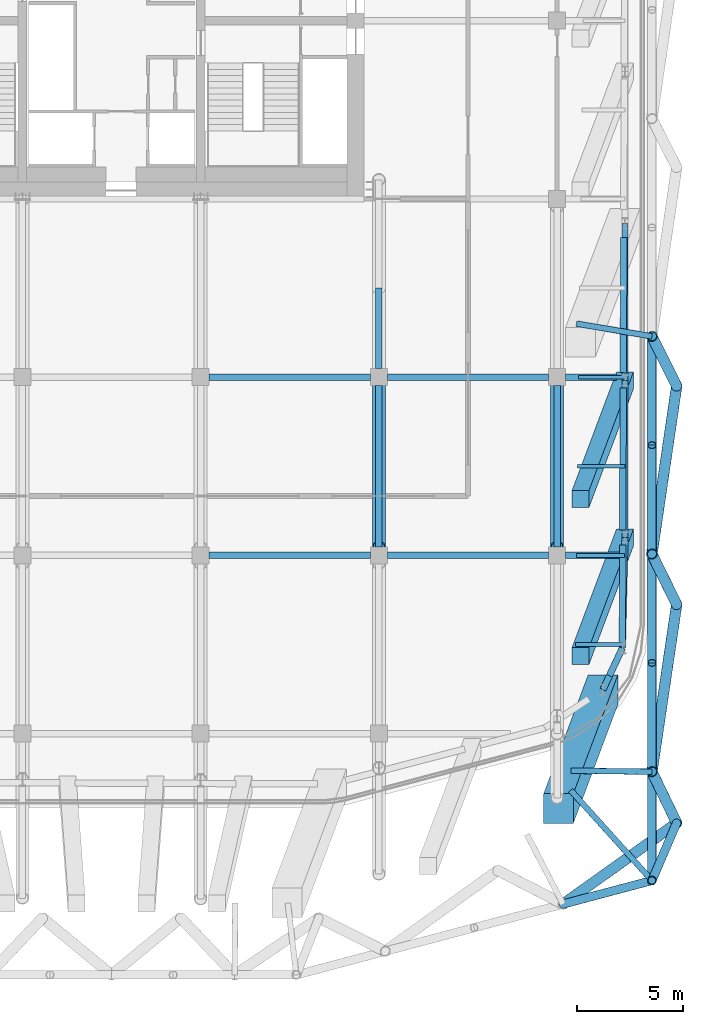
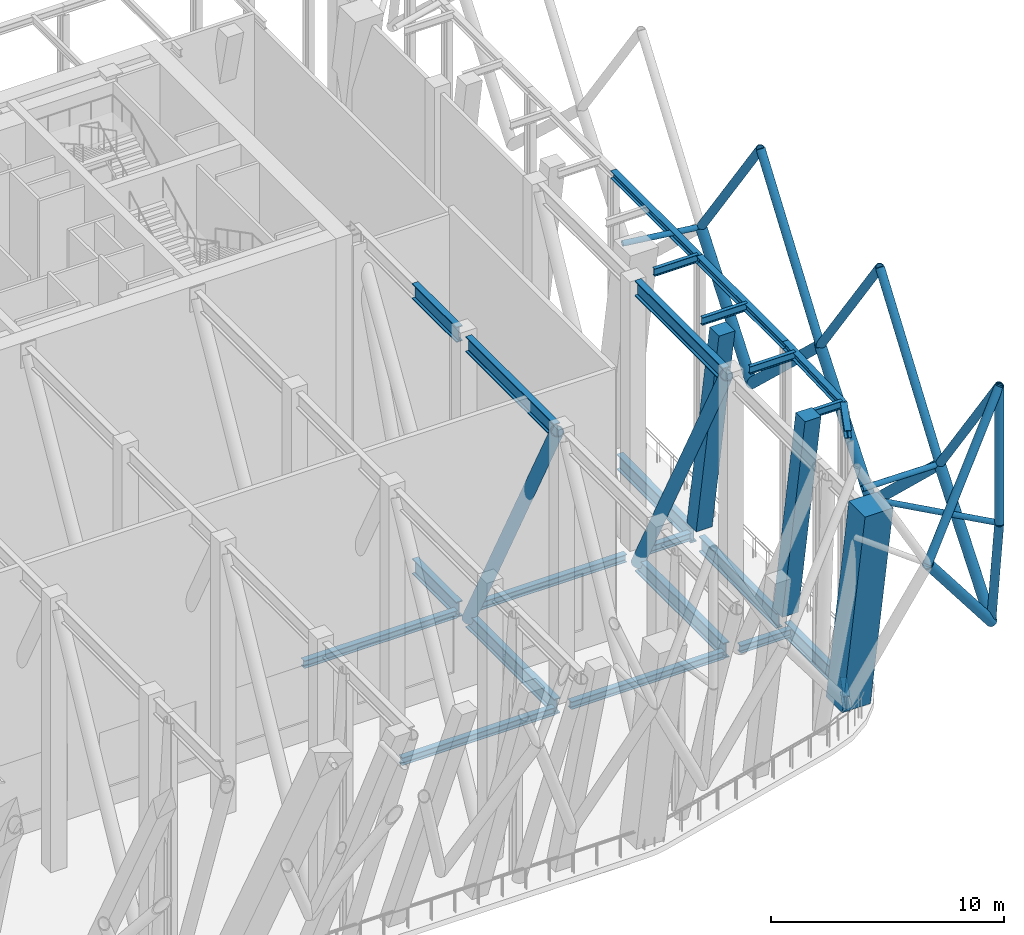
# One storey, part 5 of 20: 26 beams, 20 members.
"""IFC4 building model written with IfcOpenShell, lengths in metres."""

from ifc_helpers import new_model, si_unit, direction, frame, origin, origin_2d, place, context, subcontext, project, spatial, rectangle, hollow_circle, i_section, extrude, material, material_profile, profile_set, type_object, element, save


model = new_model("IFC4")

# Units and contexts
model_context = context("Model", 3, precision=1e-05, world=origin(), true_north=direction((0.0, 1.0)))
body_context = subcontext(model_context, "Body", "Model", "MODEL_VIEW")
ifc_project = project(units=[si_unit("LENGTHUNIT", "METRE"), si_unit("AREAUNIT", "SQUARE_METRE"), si_unit("VOLUMEUNIT", "CUBIC_METRE"), si_unit("PLANEANGLEUNIT", "RADIAN"), si_unit("MASSUNIT", "GRAM", prefix="KILO")], contexts=[model_context])

# Site, building, storey
site_placement = place(None, origin())
site = spatial("IfcSite", under=ifc_project, at=site_placement, CompositionType="ELEMENT")
building_placement = place(site_placement, origin())
building = spatial("IfcBuilding", under=site, at=building_placement, Name="Marenta Gate Hotel Tower", CompositionType="ELEMENT")
storey_placement = place(building_placement, frame((0.0, 0.0, 252.5)))
storey = spatial("IfcBuildingStorey", under=building, at=storey_placement, Name="L60", CompositionType="ELEMENT", Elevation=252.5)

# Members
ifc_material_1 = material(Name="Steel S355J2W", Category="steel")
ifc_material_profile_1 = material_profile(ifc_material_1, hollow_circle(Radius=0.203125, WallThickness=0.02490234375, at=origin_2d()), Name="CHS 406.4x25")
ifc_profile_set_1 = profile_set([ifc_material_profile_1], Name="Steel S355J2W")
member_type_1 = type_object("IfcMemberType", Name="Diagrid corner post Z3 CHS 406.4x25", PredefinedType="POST", material=ifc_profile_set_1)
member_1_placement = place(storey_placement, frame((26.635009765625, -29.41162109375, 6.739990234375), z_axis=(-0.149721527794, -0.348482189691, 0.925280296766), x_axis=(0.91878952383, -0.394747781374, 0.0)))
element("IfcMember", 1, at=member_1_placement, inside=storey, type_object=member_type_1, Name="L60-DR-2", PredefinedType="POST", context=body_context, shape_type="SweptSolid", body=[
    extrude(hollow_circle(Radius=0.203125, WallThickness=0.02490234375, at=origin_2d()), origin(), (0.0, 0.0, 1.0), 7.781494140625),
])
ifc_material_2 = material(Name="Steel S355J2W", Category="steel")
ifc_material_profile_2 = material_profile(ifc_material_2, hollow_circle(Radius=0.203125, WallThickness=0.01611328125, at=origin_2d()), Name="CHS 406.4x16")
ifc_profile_set_2 = profile_set([ifc_material_profile_2], Name="Steel S355J2W")
member_type_2 = type_object("IfcMemberType", Name="Diagrid corner post Z4 CHS 406.4x16", PredefinedType="POST", material=ifc_profile_set_2)
member_2_placement = place(storey_placement, frame((25.469970703125, -32.123291015625, 13.93994140625), z_axis=(0.0, 0.0, 1.0), x_axis=(1.0, 0.0, 0.0)))
element("IfcMember", 2, at=member_2_placement, inside=storey, type_object=member_type_2, Name="L60-DR-8", PredefinedType="POST", context=body_context, shape_type="SweptSolid", body=[
    extrude(hollow_circle(Radius=0.203125, WallThickness=0.01611328125, at=origin_2d()), origin(), (0.0, 0.0, 1.0), 7.199951171875),
])
ifc_material_3 = material(Name="Steel S355J2W", Category="steel")
ifc_material_profile_3 = material_profile(ifc_material_3, hollow_circle(Radius=0.25390625, WallThickness=0.0400390625, at=origin_2d()), Name="CHS 508x40")
ifc_profile_set_3 = profile_set([ifc_material_profile_3], Name="Steel S355J2W")
member_type_3 = type_object("IfcMemberType", Name="Diagrid diagonal T3 CHS 508x40", PredefinedType="BRACE", material=ifc_profile_set_3)
member_3_placement = place(storey_placement, frame((26.635009765625, -8.81298828125, 6.739990234375), z_axis=(-0.152119932005, 0.305068681746, 0.940102454898), x_axis=(-0.894912926352, -0.446240802984, 0.0)))
element("IfcMember", 3, at=member_3_placement, inside=storey, type_object=member_type_3, Name="L60-DG-6", PredefinedType="BRACE", context=body_context, shape_type="SweptSolid", body=[
    extrude(hollow_circle(Radius=0.25390625, WallThickness=0.0400390625, at=origin_2d()), origin(), (0.0, 0.0, 1.0), 7.65869140625),
])
member_4_placement = place(storey_placement, frame((26.635009765625, -8.81298828125, 6.739990234375), z_axis=(-0.108189605121, -0.735698383522, 0.668612666516), x_axis=(0.989359393524, -0.145492235004, 0.0)))
element("IfcMember", 4, at=member_4_placement, inside=storey, type_object=member_type_3, Name="L60-DG-7", PredefinedType="BRACE", context=body_context, shape_type="SweptSolid", body=[
    extrude(hollow_circle(Radius=0.25390625, WallThickness=0.0400390625, at=origin_2d()), origin(), (0.0, 0.0, 1.0), 10.7685546875),
])
member_5_placement = place(storey_placement, frame((26.635009765625, -19.1123046875, 6.739990234375), z_axis=(-0.1518728343, 0.309856226896, 0.93857538901), x_axis=(-0.897940734273, -0.440116391121, 0.0)))
element("IfcMember", 5, at=member_5_placement, inside=storey, type_object=member_type_3, Name="L60-DG-8", PredefinedType="BRACE", context=body_context, shape_type="SweptSolid", body=[
    extrude(hollow_circle(Radius=0.25390625, WallThickness=0.0400390625, at=origin_2d()), origin(), (0.0, 0.0, 1.0), 7.671142578125),
])
member_6_placement = place(storey_placement, frame((26.635009765625, -19.1123046875, 6.739990234375), z_axis=(-0.108491449079, -0.733954201721, 0.670478064707), x_axis=(0.98925079432, -0.146228813632, 0.0)))
element("IfcMember", 6, at=member_6_placement, inside=storey, type_object=member_type_3, Name="L60-DG-9", PredefinedType="BRACE", context=body_context, shape_type="SweptSolid", body=[
    extrude(hollow_circle(Radius=0.25390625, WallThickness=0.0400390625, at=origin_2d()), origin(), (0.0, 0.0, 1.0), 10.738525390625),
])
member_7_placement = place(storey_placement, frame((26.635009765625, -29.41162109375, 6.739990234375), z_axis=(-0.151621202874, 0.314648946366, 0.937020304684), x_axis=(-0.900863347465, -0.434102786439, 0.0)))
element("IfcMember", 7, at=member_7_placement, inside=storey, type_object=member_type_3, Name="L60-DG-10", PredefinedType="BRACE", context=body_context, shape_type="SweptSolid", body=[
    extrude(hollow_circle(Radius=0.25390625, WallThickness=0.0400390625, at=origin_2d()), origin(), (0.0, 0.0, 1.0), 7.683837890625),
])
member_8_placement = place(storey_placement, frame((26.635009765625, -29.41162109375, 6.739990234375), z_axis=(-0.549044744476, -0.391978149008, 0.738175452899), x_axis=(0.581045137447, -0.813871333965, 0.0)))
element("IfcMember", 8, at=member_8_placement, inside=storey, type_object=member_type_3, Name="L60-DG-11", PredefinedType="BRACE", context=body_context, shape_type="SweptSolid", body=[
    extrude(hollow_circle(Radius=0.25390625, WallThickness=0.0400390625, at=origin_2d()), origin(), (0.0, 0.0, 1.0), 9.753662109375),
])
ifc_material_4 = material(Name="Steel S355J2W", Category="steel")
ifc_material_profile_4 = material_profile(ifc_material_4, hollow_circle(Radius=0.203125, WallThickness=0.02490234375, at=origin_2d()), Name="CHS 406.4x25")
ifc_profile_set_4 = profile_set([ifc_material_profile_4], Name="Steel S355J2W")
member_type_4 = type_object("IfcMemberType", Name="Diagrid diagonal Z4 CHS 406.4x25", PredefinedType="BRACE", material=ifc_profile_set_4)
for number, where, z_axis, x_axis, name in (
    (9, (25.469970703125, -6.4765625, 13.93994140625), (0.0, -0.580231970533, 0.81445126335), (1.0, 0.0, 0.0), "L60-DG-40"),
    (10, (25.469970703125, -16.7353515625, 13.93994140625), (0.0, 0.580231970533, 0.81445126335), (-1.0, 0.0, 0.0), "L60-DG-41"),
):
    element("IfcMember", number, at=place(storey_placement, frame(where, z_axis=z_axis, x_axis=x_axis)), inside=storey, type_object=member_type_4, Name=name, PredefinedType="BRACE", context=body_context, shape_type="SweptSolid", body=[
        extrude(hollow_circle(Radius=0.203125, WallThickness=0.02490234375, at=origin_2d()), origin(), (0.0, 0.0, 1.0), 8.84033203125),
    ])
member_9_placement = place(storey_placement, frame((25.469970703125, -16.7353515625, 13.93994140625), z_axis=(0.0, -0.580213650922, 0.81446431431), x_axis=(1.0, 0.0, 0.0)))
element("IfcMember", 11, at=member_9_placement, inside=storey, type_object=member_type_4, Name="L60-DG-42", PredefinedType="BRACE", context=body_context, shape_type="SweptSolid", body=[
    extrude(hollow_circle(Radius=0.203125, WallThickness=0.02490234375, at=origin_2d()), origin(), (0.0, 0.0, 1.0), 8.840087890625),
])
for number, where, z_axis, x_axis, name in (
    (12, (25.469970703125, -26.993896484375, 13.93994140625), (0.0, 0.580231970533, 0.81445126335), (-1.0, 0.0, 0.0), "L60-DG-43"),
    (13, (25.469970703125, -26.993896484375, 13.93994140625), (0.0, -0.580231970533, 0.81445126335), (1.0, 0.0, 0.0), "L60-DG-44"),
):
    element("IfcMember", number, at=place(storey_placement, frame(where, z_axis=z_axis, x_axis=x_axis)), inside=storey, type_object=member_type_4, Name=name, PredefinedType="BRACE", context=body_context, shape_type="SweptSolid", body=[
        extrude(hollow_circle(Radius=0.203125, WallThickness=0.02490234375, at=origin_2d()), origin(), (0.0, 0.0, 1.0), 8.84033203125),
    ])
member_10_placement = place(storey_placement, frame((21.27978515625, -33.23486328125, 13.93994140625), z_axis=(0.498575378967, 0.132262057941, 0.856696760538), x_axis=(-0.256411076507, 0.966567824751, 0.0)))
element("IfcMember", 14, at=member_10_placement, inside=storey, type_object=member_type_4, Name="L60-DG-45", PredefinedType="BRACE", context=body_context, shape_type="SweptSolid", body=[
    extrude(hollow_circle(Radius=0.203125, WallThickness=0.02490234375, at=origin_2d()), origin(), (0.0, 0.0, 1.0), 8.404296875),
])

# Beams
ifc_material_5 = material(Name="Steel S355", Category="steel")
ifc_material_profile_5 = material_profile(ifc_material_5, i_section(OverallWidth=0.302978515625, OverallDepth=0.81396484375, WebThickness=0.030029296875, FlangeThickness=0.052001953125, FilletRadius=0.030029296875, at=origin_2d()), Name="HEM 800")
ifc_profile_set_5 = profile_set([ifc_material_profile_5], Name="Steel S355")
beam_type_1 = type_object("IfcBeamType", Name="Edge beam HEM 800", PredefinedType="SPANDREL", material=ifc_profile_set_5)
beam_1_placement = place(storey_placement, frame((24.1396484375, -1.81005859375, -0.70703125), z_axis=(-0.003328723523, -0.999994459785, 0.0), x_axis=(0.999994459785, -0.003328723523, 0.0)))
element("IfcBeam", 15, at=beam_1_placement, inside=storey, type_object=beam_type_1, Name="L60-EB-25", PredefinedType="SPANDREL", context=body_context, shape_type="SweptSolid", body=[
    extrude(i_section(OverallWidth=0.302978515625, OverallDepth=0.81396484375, WebThickness=0.030029296875, FlangeThickness=0.052001953125, FilletRadius=0.030029296875, at=origin_2d()), origin(), (0.0, 0.0, 1.0), 6.380859375),
])
beam_2_placement = place(storey_placement, frame((24.115966796875, -8.910888671875, -0.70703125), z_axis=(-0.00332539729, -0.999994470851, 0.0), x_axis=(0.999994470851, -0.00332539729, 0.0)))
element("IfcBeam", 16, at=beam_2_placement, inside=storey, type_object=beam_type_1, Name="L60-EB-26", PredefinedType="SPANDREL", context=body_context, shape_type="SweptSolid", body=[
    extrude(i_section(OverallWidth=0.302978515625, OverallDepth=0.81396484375, WebThickness=0.030029296875, FlangeThickness=0.052001953125, FilletRadius=0.030029296875, at=origin_2d()), origin(), (0.0, 0.0, 1.0), 6.680908203125),
])
beam_3_placement = place(storey_placement, frame((24.09130859375, -16.31201171875, -0.70703125), z_axis=(-0.003318732666, -0.999994492992, 0.0), x_axis=(0.999994492992, -0.003318732666, 0.0)))
element("IfcBeam", 17, at=beam_3_placement, inside=storey, type_object=beam_type_1, Name="L60-EB-27", PredefinedType="SPANDREL", context=body_context, shape_type="SweptSolid", body=[
    extrude(i_section(OverallWidth=0.302978515625, OverallDepth=0.81396484375, WebThickness=0.030029296875, FlangeThickness=0.052001953125, FilletRadius=0.030029296875, at=origin_2d()), origin(), (0.0, 0.0, 1.0), 4.855224609375),
])
beam_4_placement = place(storey_placement, frame((24.0751953125, -21.167236328125, -0.70703125), z_axis=(-0.423341112024, -0.905970365338, 0.0), x_axis=(0.905970365338, -0.423341112024, 0.0)))
element("IfcBeam", 18, at=beam_4_placement, inside=storey, type_object=beam_type_1, Name="L60-EB-28", PredefinedType="SPANDREL", context=body_context, shape_type="SweptSolid", body=[
    extrude(i_section(OverallWidth=0.302978515625, OverallDepth=0.81396484375, WebThickness=0.030029296875, FlangeThickness=0.052001953125, FilletRadius=0.030029296875, at=origin_2d()), origin(), (0.0, 0.0, 1.0), 1.437255859375),
])

# Members
ifc_material_6 = material(Name="Concrete C60", Category="concrete")
ifc_material_profile_6 = material_profile(ifc_material_6, rectangle(XDim=0.800048828125, YDim=0.800048828125, at=origin_2d()), Name="800 x 800")
ifc_profile_set_6 = profile_set([ifc_material_profile_6], Name="Concrete C60")
member_type_5 = type_object("IfcMemberType", Name="Edge column raked 800 x 800 C60", PredefinedType="STRUT", material=ifc_profile_set_6)
for number, where, z_axis, x_axis, name in (
    (19, (24.199951171875, -8.55078125, 0.0), (0.0, 0.0, 1.0), (1.0, 0.0, 0.0), "L60-EC-E-SE-1"),
    (20, (24.199951171875, -15.951904296875, 0.0), (0.0, 0.0, 1.0), (1.0, 0.0, 0.0), "L60-EC-E-SE-2"),
):
    element("IfcMember", number, at=place(storey_placement, frame(where, z_axis=z_axis, x_axis=x_axis)), inside=storey, type_object=member_type_5, Name=name, PredefinedType="STRUT", context=body_context, shape_type="SweptSolid", body=[
        extrude(rectangle(XDim=0.800048828125, YDim=0.800048828125, at=origin_2d()), origin(), (-0.134670294295, -0.359152099819, 0.923511603084), 15.592529296875),
    ])
ifc_material_7 = material(Name="Steel S355J2W", Category="steel")
ifc_material_profile_7 = material_profile(ifc_material_7, hollow_circle(Radius=0.136474609375, WallThickness=0.012451171875, at=origin_2d()), Name="CHS 273x12.5")
ifc_profile_set_7 = profile_set([ifc_material_profile_7], Name="Steel S355J2W")
member_type_6 = type_object("IfcMemberType", Name="Floor tie CHS 273x12.5", PredefinedType="STRUT", material=ifc_profile_set_7)
member_11_placement = place(storey_placement, frame((25.469970703125, -6.4765625, 13.93994140625), z_axis=(-0.986011162117, 0.166679297395, 0.0), x_axis=(-0.166679297395, -0.986011162117, 0.0)))
element("IfcMember", 21, at=member_11_placement, inside=storey, type_object=member_type_6, Name="L60-DR-15", PredefinedType="STRUT", context=body_context, shape_type="SweptSolid", body=[
    extrude(hollow_circle(Radius=0.136474609375, WallThickness=0.012451171875, at=origin_2d()), origin(), (0.0, 0.0, 1.0), 3.610595703125),
])
member_12_placement = place(storey_placement, frame((25.469970703125, -26.993896484375, 13.93994140625), z_axis=(-0.999923937096, 0.012333694629, 0.0), x_axis=(-0.012333694629, -0.999923937096, 0.0)))
element("IfcMember", 22, at=member_12_placement, inside=storey, type_object=member_type_6, Name="L60-DR-16", PredefinedType="STRUT", context=body_context, shape_type="SweptSolid", body=[
    extrude(hollow_circle(Radius=0.136474609375, WallThickness=0.012451171875, at=origin_2d()), origin(), (0.0, 0.0, 1.0), 3.8203125),
])
member_13_placement = place(storey_placement, frame((25.469970703125, -32.123291015625, 13.93994140625), z_axis=(-0.669447713967, 0.74285917795, 0.0), x_axis=(-0.74285917795, -0.669447713967, 0.0)))
element("IfcMember", 23, at=member_13_placement, inside=storey, type_object=member_type_6, Name="L60-DR-17", PredefinedType="STRUT", context=body_context, shape_type="SweptSolid", body=[
    extrude(hollow_circle(Radius=0.136474609375, WallThickness=0.012451171875, at=origin_2d()), origin(), (0.0, 0.0, 1.0), 5.723388671875),
])

# Beams
ifc_material_8 = material(Name="Steel S355", Category="steel")
ifc_material_profile_8 = material_profile(ifc_material_8, i_section(OverallWidth=0.300048828125, OverallDepth=0.39990234375, WebThickness=0.013427734375, FlangeThickness=0.02392578125, FilletRadius=0.027099609375, at=origin_2d()), Name="HEB 400")
ifc_profile_set_8 = profile_set([ifc_material_profile_8], Name="Steel S355")
beam_type_2 = type_object("IfcBeamType", Name="Girder HEB 400", PredefinedType="BEAM", material=ifc_profile_set_8)
beam_5_placement = place(storey_placement, frame((4.60009765625, -16.800048828125, -0.5), z_axis=(1.0, 0.0, 0.0), x_axis=(0.0, 1.0, 0.0)))
element("IfcBeam", 24, at=beam_5_placement, inside=storey, type_object=beam_type_2, Name="L60-GD-10", PredefinedType="BEAM", context=body_context, shape_type="SweptSolid", body=[
    extrude(i_section(OverallWidth=0.300048828125, OverallDepth=0.39990234375, WebThickness=0.013427734375, FlangeThickness=0.02392578125, FilletRadius=0.027099609375, at=origin_2d()), origin(), (0.0, 0.0, 1.0), 7.599853515625),
])
beam_6_placement = place(storey_placement, frame((13.0, -16.800048828125, -0.5), z_axis=(1.0, 0.0, 0.0), x_axis=(0.0, 1.0, 0.0)))
element("IfcBeam", 25, at=beam_6_placement, inside=storey, type_object=beam_type_2, Name="L60-GD-11", PredefinedType="BEAM", context=body_context, shape_type="SweptSolid", body=[
    extrude(i_section(OverallWidth=0.300048828125, OverallDepth=0.39990234375, WebThickness=0.013427734375, FlangeThickness=0.02392578125, FilletRadius=0.027099609375, at=origin_2d()), origin(), (0.0, 0.0, 1.0), 7.60009765625),
])
beam_7_placement = place(storey_placement, frame((21.39990234375, -16.800048828125, -0.5), z_axis=(1.0, 0.0, 0.0), x_axis=(0.0, 1.0, 0.0)))
element("IfcBeam", 26, at=beam_7_placement, inside=storey, type_object=beam_type_2, Name="L60-GD-12", PredefinedType="BEAM", context=body_context, shape_type="SweptSolid", body=[
    extrude(i_section(OverallWidth=0.300048828125, OverallDepth=0.39990234375, WebThickness=0.013427734375, FlangeThickness=0.02392578125, FilletRadius=0.027099609375, at=origin_2d()), origin(), (0.0, 0.0, 1.0), 2.538330078125),
])
beam_8_placement = place(storey_placement, frame((4.60009765625, -8.39990234375, -0.5), z_axis=(1.0, 0.0, 0.0), x_axis=(0.0, 1.0, 0.0)))
element("IfcBeam", 27, at=beam_8_placement, inside=storey, type_object=beam_type_2, Name="L60-GD-17", PredefinedType="BEAM", context=body_context, shape_type="SweptSolid", body=[
    extrude(i_section(OverallWidth=0.300048828125, OverallDepth=0.39990234375, WebThickness=0.013427734375, FlangeThickness=0.02392578125, FilletRadius=0.027099609375, at=origin_2d()), origin(), (0.0, 0.0, 1.0), 7.599853515625),
])
beam_9_placement = place(storey_placement, frame((13.0, -8.39990234375, -0.5), z_axis=(1.0, 0.0, 0.0), x_axis=(0.0, 1.0, 0.0)))
element("IfcBeam", 28, at=beam_9_placement, inside=storey, type_object=beam_type_2, Name="L60-GD-18", PredefinedType="BEAM", context=body_context, shape_type="SweptSolid", body=[
    extrude(i_section(OverallWidth=0.300048828125, OverallDepth=0.39990234375, WebThickness=0.013427734375, FlangeThickness=0.02392578125, FilletRadius=0.027099609375, at=origin_2d()), origin(), (0.0, 0.0, 1.0), 7.60009765625),
])
beam_10_placement = place(storey_placement, frame((21.39990234375, -8.39990234375, -0.5), z_axis=(1.0, 0.0, 0.0), x_axis=(0.0, 1.0, 0.0)))
element("IfcBeam", 29, at=beam_10_placement, inside=storey, type_object=beam_type_2, Name="L60-GD-19", PredefinedType="BEAM", context=body_context, shape_type="SweptSolid", body=[
    extrude(i_section(OverallWidth=0.300048828125, OverallDepth=0.39990234375, WebThickness=0.013427734375, FlangeThickness=0.02392578125, FilletRadius=0.027099609375, at=origin_2d()), origin(), (0.0, 0.0, 1.0), 2.400146484375),
])

# Member
ifc_material_9 = material(Name="Concrete C60", Category="concrete")
ifc_material_profile_9 = material_profile(ifc_material_9, rectangle(XDim=1.39990234375, YDim=1.39990234375, at=origin_2d()), Name="1400 x 1400")
ifc_profile_set_9 = profile_set([ifc_material_profile_9], Name="Concrete C60")
member_type_7 = type_object("IfcMemberType", Name="Mega column raked 1400 x 1400 C60", PredefinedType="STRUT", material=ifc_profile_set_9)
member_14_placement = place(storey_placement, frame((23.1630859375, -23.133056640625, 0.0), z_axis=(0.0, 0.0, 1.0), x_axis=(1.0, 0.0, 0.0)))
element("IfcMember", 30, at=member_14_placement, inside=storey, type_object=member_type_7, Name="L60-MC-SE", PredefinedType="STRUT", context=body_context, shape_type="SweptSolid", body=[
    extrude(rectangle(XDim=1.39990234375, YDim=1.39990234375, at=origin_2d()), origin(), (-0.134686425178, -0.359137704524, 0.923514848858), 15.592529296875),
])

# Beams
ifc_material_10 = material(Name="Steel S355", Category="steel")
ifc_material_profile_10 = material_profile(ifc_material_10, i_section(OverallWidth=0.302978515625, OverallDepth=0.81396484375, WebThickness=0.030029296875, FlangeThickness=0.052001953125, FilletRadius=0.030029296875, at=origin_2d()), Name="HEM 800")
ifc_profile_set_10 = profile_set([ifc_material_profile_10], Name="Steel S355")
beam_type_3 = type_object("IfcBeamType", Name="Outrigger truss chord HEM 800", PredefinedType="BEAM", material=ifc_profile_set_10)
beam_11_placement = place(storey_placement, frame((12.60009765625, -4.199951171875, -0.70703125), z_axis=(0.0, -1.0, 0.0), x_axis=(1.0, 0.0, 0.0)))
element("IfcBeam", 31, at=beam_11_placement, inside=storey, type_object=beam_type_3, Name="TC-HEM800 Outrigger truss T3-8 chord", PredefinedType="BEAM", context=body_context, shape_type="SweptSolid", body=[
    extrude(i_section(OverallWidth=0.302978515625, OverallDepth=0.81396484375, WebThickness=0.030029296875, FlangeThickness=0.052001953125, FilletRadius=0.030029296875, at=origin_2d()), origin(), (0.0, 0.0, 1.0), 3.800048828125),
])
beam_12_placement = place(storey_placement, frame((12.60009765625, -8.800048828125, -0.70703125), z_axis=(0.0, -1.0, 0.0), x_axis=(1.0, 0.0, 0.0)))
element("IfcBeam", 32, at=beam_12_placement, inside=storey, type_object=beam_type_3, Name="TC-HEM800 Outrigger truss T3-8 chord", PredefinedType="BEAM", context=body_context, shape_type="SweptSolid", body=[
    extrude(i_section(OverallWidth=0.302978515625, OverallDepth=0.81396484375, WebThickness=0.030029296875, FlangeThickness=0.052001953125, FilletRadius=0.030029296875, at=origin_2d()), origin(), (0.0, 0.0, 1.0), 7.599853515625),
])
beam_13_placement = place(storey_placement, frame((12.60009765625, -4.199951171875, 13.73291015625), z_axis=(0.0, -1.0, 0.0), x_axis=(1.0, 0.0, 0.0)))
element("IfcBeam", 33, at=beam_13_placement, inside=storey, type_object=beam_type_3, Name="TC-HEM800 Outrigger truss T3-8 chord", PredefinedType="BEAM", context=body_context, shape_type="SweptSolid", body=[
    extrude(i_section(OverallWidth=0.302978515625, OverallDepth=0.81396484375, WebThickness=0.030029296875, FlangeThickness=0.052001953125, FilletRadius=0.030029296875, at=origin_2d()), origin(), (0.0, 0.0, 1.0), 3.800048828125),
])
for number, where, z_axis, x_axis, name in (
    (34, (12.60009765625, -8.800048828125, 13.73291015625), (0.0, -1.0, 0.0), (1.0, 0.0, 0.0), "TC-HEM800 Outrigger truss T3-8 chord"),
    (35, (21.0, -8.800048828125, -0.70703125), (0.0, -1.0, 0.0), (1.0, 0.0, 0.0), "TC-HEM800 Outrigger truss T3-9 chord"),
    (36, (21.0, -8.800048828125, 13.73291015625), (0.0, -1.0, 0.0), (1.0, 0.0, 0.0), "TC-HEM800 Outrigger truss T3-9 chord"),
):
    element("IfcBeam", number, at=place(storey_placement, frame(where, z_axis=z_axis, x_axis=x_axis)), inside=storey, type_object=beam_type_3, Name=name, PredefinedType="BEAM", context=body_context, shape_type="SweptSolid", body=[
        extrude(i_section(OverallWidth=0.302978515625, OverallDepth=0.81396484375, WebThickness=0.030029296875, FlangeThickness=0.052001953125, FilletRadius=0.030029296875, at=origin_2d()), origin(), (0.0, 0.0, 1.0), 7.599853515625),
    ])
ifc_material_11 = material(Name="Steel S355", Category="steel")
ifc_material_profile_11 = material_profile(ifc_material_11, hollow_circle(Radius=0.304931640625, WallThickness=0.0400390625, at=origin_2d()), Name="CHS 610x40")
ifc_profile_set_11 = profile_set([ifc_material_profile_11], Name="Steel S355")
beam_type_4 = type_object("IfcBeamType", Name="Outrigger truss diagonal CHS 610x40", PredefinedType="BEAM", material=ifc_profile_set_11)
for number, where, z_axis, x_axis, name in (
    (37, (12.60009765625, -8.800048828125, -0.70703125), (0.0, -0.465740883061, 0.884921143292), (1.0, 0.0, 0.0), "Outrigger truss T3-8 diagonal"),
    (38, (21.0, -8.800048828125, -0.70703125), (0.0, -0.465740883061, 0.884921143292), (1.0, 0.0, 0.0), "Outrigger truss T3-9 diagonal"),
):
    element("IfcBeam", number, at=place(storey_placement, frame(where, z_axis=z_axis, x_axis=x_axis)), inside=storey, type_object=beam_type_4, Name=name, PredefinedType="BEAM", context=body_context, shape_type="SweptSolid", body=[
        extrude(hollow_circle(Radius=0.304931640625, WallThickness=0.0400390625, at=origin_2d()), origin(), (0.0, 0.0, 1.0), 16.31787109375),
    ])
ifc_material_12 = material(Name="Steel S355", Category="steel")
ifc_material_profile_12 = material_profile(ifc_material_12, i_section(OverallWidth=0.179931640625, OverallDepth=0.39990234375, WebThickness=0.008544921875, FlangeThickness=0.013427734375, FilletRadius=0.02099609375, at=origin_2d()), Name="IPE 400")
ifc_profile_set_12 = profile_set([ifc_material_profile_12], Name="Steel S355")
beam_type_5 = type_object("IfcBeamType", Name="Terrace beam IPE 400", PredefinedType="JOIST", material=ifc_profile_set_12)
beam_14_placement = place(storey_placement, frame((21.859375, -21.0, 13.93994140625), z_axis=(1.0, 0.0, 0.0), x_axis=(0.0, 1.0, 0.0)))
element("IfcBeam", 39, at=beam_14_placement, inside=storey, type_object=beam_type_5, Name="L60-TB-12", PredefinedType="JOIST", context=body_context, shape_type="SweptSolid", body=[
    extrude(i_section(OverallWidth=0.179931640625, OverallDepth=0.39990234375, WebThickness=0.008544921875, FlangeThickness=0.013427734375, FilletRadius=0.02099609375, at=origin_2d()), origin(), (0.0, 0.0, 1.0), 2.2197265625),
])
beam_15_placement = place(storey_placement, frame((21.9111328125, -16.800048828125, 13.93994140625), z_axis=(1.0, 0.0, 0.0), x_axis=(0.0, 1.0, 0.0)))
element("IfcBeam", 40, at=beam_15_placement, inside=storey, type_object=beam_type_5, Name="L60-TB-13", PredefinedType="JOIST", context=body_context, shape_type="SweptSolid", body=[
    extrude(i_section(OverallWidth=0.179931640625, OverallDepth=0.39990234375, WebThickness=0.008544921875, FlangeThickness=0.013427734375, FilletRadius=0.02099609375, at=origin_2d()), origin(), (0.0, 0.0, 1.0), 2.2685546875),
])
beam_16_placement = place(storey_placement, frame((21.962890625, -12.60009765625, 13.93994140625), z_axis=(1.0, 0.0, 0.0), x_axis=(0.0, 1.0, 0.0)))
element("IfcBeam", 41, at=beam_16_placement, inside=storey, type_object=beam_type_5, Name="L60-TB-14", PredefinedType="JOIST", context=body_context, shape_type="SweptSolid", body=[
    extrude(i_section(OverallWidth=0.179931640625, OverallDepth=0.39990234375, WebThickness=0.008544921875, FlangeThickness=0.013427734375, FilletRadius=0.02099609375, at=origin_2d()), origin(), (0.0, 0.0, 1.0), 2.237060546875),
])
beam_17_placement = place(storey_placement, frame((22.014892578125, -8.39990234375, 13.93994140625), z_axis=(1.0, 0.0, 0.0), x_axis=(0.0, 1.0, 0.0)))
element("IfcBeam", 42, at=beam_17_placement, inside=storey, type_object=beam_type_5, Name="L60-TB-15", PredefinedType="JOIST", context=body_context, shape_type="SweptSolid", body=[
    extrude(i_section(OverallWidth=0.179931640625, OverallDepth=0.39990234375, WebThickness=0.008544921875, FlangeThickness=0.013427734375, FilletRadius=0.02099609375, at=origin_2d()), origin(), (0.0, 0.0, 1.0), 2.18505859375),
])
ifc_material_13 = material(Name="Steel S355", Category="steel")
ifc_material_profile_13 = material_profile(ifc_material_13, i_section(OverallWidth=0.300048828125, OverallDepth=0.39990234375, WebThickness=0.013427734375, FlangeThickness=0.02392578125, FilletRadius=0.027099609375, at=origin_2d()), Name="HEB 400")
ifc_profile_set_13 = profile_set([ifc_material_profile_13], Name="Steel S355")
beam_type_6 = type_object("IfcBeamType", Name="Terrace edge beam HEB 400", PredefinedType="SPANDREL", material=ifc_profile_set_13)
beam_18_placement = place(storey_placement, frame((24.199951171875, -1.14990234375, 13.93994140625), z_axis=(0.0, -1.0, 0.0), x_axis=(1.0, 0.0, 0.0)))
element("IfcBeam", 43, at=beam_18_placement, inside=storey, type_object=beam_type_6, Name="L60-TE-26", PredefinedType="SPANDREL", context=body_context, shape_type="SweptSolid", body=[
    extrude(i_section(OverallWidth=0.300048828125, OverallDepth=0.39990234375, WebThickness=0.013427734375, FlangeThickness=0.02392578125, FilletRadius=0.027099609375, at=origin_2d()), origin(), (0.0, 0.0, 1.0), 7.40087890625),
])
beam_19_placement = place(storey_placement, frame((24.199951171875, -8.55078125, 13.93994140625), z_axis=(0.0, -1.0, 0.0), x_axis=(1.0, 0.0, 0.0)))
element("IfcBeam", 44, at=beam_19_placement, inside=storey, type_object=beam_type_6, Name="L60-TE-27", PredefinedType="SPANDREL", context=body_context, shape_type="SweptSolid", body=[
    extrude(i_section(OverallWidth=0.300048828125, OverallDepth=0.39990234375, WebThickness=0.013427734375, FlangeThickness=0.02392578125, FilletRadius=0.027099609375, at=origin_2d()), origin(), (0.0, 0.0, 1.0), 7.401123046875),
])
beam_20_placement = place(storey_placement, frame((24.199951171875, -15.951904296875, 13.93994140625), z_axis=(-0.023914140165, -0.999714016057, 0.0), x_axis=(0.999714016057, -0.023914140165, 0.0)))
element("IfcBeam", 45, at=beam_20_placement, inside=storey, type_object=beam_type_6, Name="L60-TE-28", PredefinedType="SPANDREL", context=body_context, shape_type="SweptSolid", body=[
    extrude(i_section(OverallWidth=0.300048828125, OverallDepth=0.39990234375, WebThickness=0.013427734375, FlangeThickness=0.02392578125, FilletRadius=0.027099609375, at=origin_2d()), origin(), (0.0, 0.0, 1.0), 5.216796875),
])
beam_21_placement = place(storey_placement, frame((24.0751953125, -21.167236328125, 13.93994140625), z_axis=(-0.423385246573, -0.905949740871, 0.0), x_axis=(0.905949740871, -0.423385246573, 0.0)))
element("IfcBeam", 46, at=beam_21_placement, inside=storey, type_object=beam_type_6, Name="L60-TE-29", PredefinedType="SPANDREL", context=body_context, shape_type="SweptSolid", body=[
    extrude(i_section(OverallWidth=0.300048828125, OverallDepth=0.39990234375, WebThickness=0.013427734375, FlangeThickness=0.02392578125, FilletRadius=0.027099609375, at=origin_2d()), origin(), (0.0, 0.0, 1.0), 2.165771484375),
])

save(model, "model.ifc")
